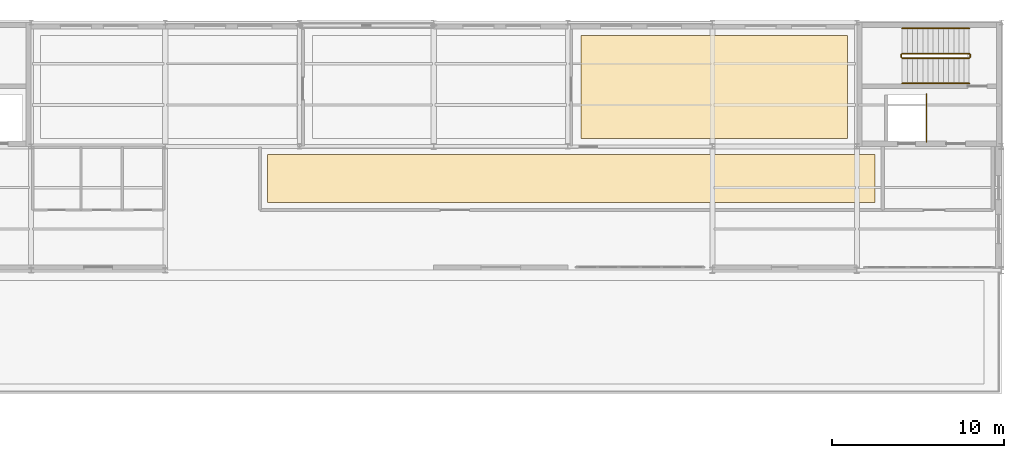
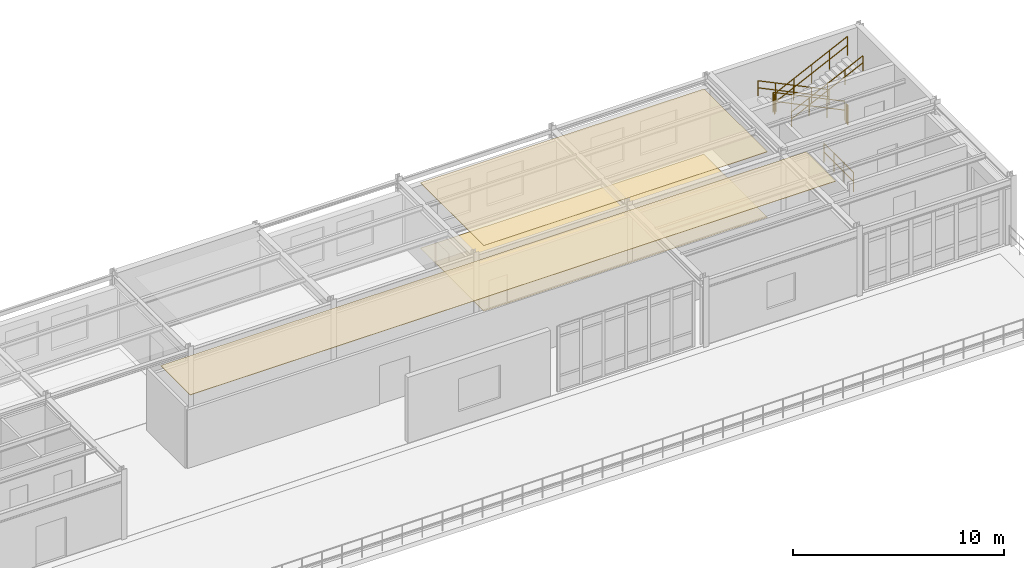
# One storey, part 58 of 58: 7 railings, 3 coverings.
"""IFC4 building model written with IfcOpenShell, lengths in metres."""

from ifc_helpers import new_model, si_unit, derived_unit, direction, frame, origin, origin_2d, place, context, subcontext, project, spatial, polyline, circle, outline, extrude, material, layer, layer_set, type_object, element, save


model = new_model("IFC4")

# Units and contexts
model_context = context("Model", 3, precision=1e-05, world=origin(), true_north=direction((0.0, 1.0)))
body_context = subcontext(model_context, "Body", "Model", "MODEL_VIEW")
ifc_project = project(units=[si_unit("LENGTHUNIT", "METRE"), si_unit("AREAUNIT", "SQUARE_METRE"), si_unit("VOLUMEUNIT", "CUBIC_METRE"), si_unit("PLANEANGLEUNIT", "RADIAN"), si_unit("MASSUNIT", "GRAM", prefix="KILO"), derived_unit("THERMALTRANSMITTANCEUNIT", [(si_unit("POWERUNIT", "WATT"), 1), (si_unit("AREAUNIT", "SQUARE_METRE"), -1), (si_unit("THERMODYNAMICTEMPERATUREUNIT", "KELVIN"), -1)])], contexts=[model_context])

# Site, building, storey
site_placement = place(None, origin())
site = spatial("IfcSite", under=ifc_project, at=site_placement, CompositionType="ELEMENT")
building_placement = place(site_placement, origin())
building = spatial("IfcBuilding", under=site, at=building_placement, Name="Yasenodar Specialist Clinic", CompositionType="ELEMENT")
storey_placement = place(building_placement, frame((0.0, 0.0, 21.300048828125)))
storey = spatial("IfcBuildingStorey", under=building, at=storey_placement, Name="L05", CompositionType="ELEMENT", Elevation=21.300048828125)

# Coverings
ifc_material_1 = material(Name="Hygienic Acoustic Mineral-Fibre Ceiling")
ifc_layer_1 = layer(ifc_material_1, 0.02490234375)
ifc_layer_set_1 = layer_set([ifc_layer_1], Name="Hygienic Acoustic Mineral-Fibre Ceiling")
covering_type_1 = type_object("IfcCoveringType", Name="COV-CEIL-AC", PredefinedType="CEILING", material=ifc_layer_set_1)
covering_1_placement = place(storey_placement, frame((0.0, 0.0, 3.77490234375)))
element("IfcCovering", 1, at=covering_1_placement, inside=storey, type_object=covering_type_1, Name="L05 Medical Simulation Skills Studio Acoustic Ceiling", PredefinedType="CEILING", context=body_context, shape_type="SweptSolid", body=[
    extrude(outline(polyline([(112.85009765625, 104.85009765625), (97.35009765625, 104.85009765625), (97.35009765625, 110.85009765625), (112.85009765625, 110.85009765625), (112.85009765625, 104.85009765625)])), origin(), (0.0, 0.0, 1.0), 0.025146484375),
])
covering_2_placement = place(storey_placement, frame((0.0, 0.0, 3.77490234375)))
element("IfcCovering", 2, at=covering_2_placement, inside=storey, type_object=covering_type_1, Name="L05 Clinical Reference Library Acoustic Ceiling", PredefinedType="CEILING", context=body_context, shape_type="SweptSolid", body=[
    extrude(outline(polyline([(114.449951171875, 103.929931640625), (114.449951171875, 101.1298828125), (79.14990234375, 101.1298828125), (79.14990234375, 103.929931640625), (114.449951171875, 103.929931640625)])), origin(), (0.0, 0.0, 1.0), 0.025146484375),
])
ifc_material_2 = material(Name="Seamless Epoxy Terrazzo Clinical Flooring")
ifc_layer_2 = layer(ifc_material_2, 0.02001953125)
ifc_layer_set_2 = layer_set([ifc_layer_2], Name="Seamless Epoxy Terrazzo Clinical Flooring")
covering_type_2 = type_object("IfcCoveringType", Name="COV-FLR-TERR", PredefinedType="FLOORING", material=ifc_layer_set_2)
covering_3_placement = place(storey_placement, origin())
element("IfcCovering", 3, at=covering_3_placement, inside=storey, type_object=covering_type_2, Name="L05 Medical Simulation Skills Studio Terrazzo Flooring", PredefinedType="FLOORING", context=body_context, shape_type="SweptSolid", body=[
    extrude(outline(polyline([(112.85009765625, 104.85009765625), (97.35009765625, 104.85009765625), (97.35009765625, 110.85009765625), (112.85009765625, 110.85009765625), (112.85009765625, 104.85009765625)])), origin(), (0.0, 0.0, 1.0), 0.02001953125),
])

# Railings
ifc_material_3 = material(Name="Steel S355 Painted Guardrail", Category="steel")
railing_type_1 = type_object("IfcRailingType", Name="RL-GRD-1120", PredefinedType="GUARDRAIL", material=ifc_material_3)
railing_1_placement = place(storey_placement, frame((117.449951171875, 104.64990234375, 0.0)))
element("IfcRailing", 4, at=railing_1_placement, inside=storey, type_object=railing_type_1, Name="L05 Core C5 Lift LF-08 Shaft Guardrail", PredefinedType="GUARDRAIL", context=body_context, shape_type="SweptSolid", body=[
    extrude(circle(Radius=0.02392578125, at=origin_2d()), frame((0.0, 0.0, 1.09619140625), z_axis=(0.0, 1.0, 0.0), x_axis=(-1.0, 0.0, 0.0)), (0.0, 0.0, 1.0), 2.800048828125),
    extrude(circle(Radius=0.02392578125, at=origin_2d()), frame((0.0, 0.0, 0.58251953125), z_axis=(0.0, 1.0, 0.0), x_axis=(-1.0, 0.0, 0.0)), (0.0, 0.0, 1.0), 2.800048828125),
    extrude(circle(Radius=0.02099609375, at=origin_2d()), origin(), (0.0, 0.0, 1.0), 1.072021484375),
    extrude(circle(Radius=0.02099609375, at=origin_2d()), frame((0.0, 0.933349609375, 0.0)), (0.0, 0.0, 1.0), 1.072021484375),
    extrude(circle(Radius=0.02099609375, at=origin_2d()), frame((0.0, 1.86669921875, 0.0)), (0.0, 0.0, 1.0), 1.072021484375),
    extrude(circle(Radius=0.02099609375, at=origin_2d()), frame((0.0, 2.800048828125, 0.0)), (0.0, 0.0, 1.0), 1.072021484375),
])
ifc_material_4 = material(Name="Steel S355 Painted Stair Guardrail", Category="steel")
railing_type_2 = type_object("IfcRailingType", Name="RL-ST-GRD", PredefinedType="GUARDRAIL", material=ifc_material_4)
railing_2_placement = place(storey_placement, frame((119.929931640625, 109.7900390625, 0.14453125)))
element("IfcRailing", 5, at=railing_2_placement, inside=storey, type_object=railing_type_2, Name="L05 ST-05 stair guard 1", PredefinedType="GUARDRAIL", context=body_context, shape_type="SweptSolid", body=[
    extrude(circle(Radius=0.02392578125, at=origin_2d()), frame((0.0, 0.0, 1.09619140625), z_axis=(-0.900763166376, 0.0, 0.434310623978), x_axis=(0.0, -1.0, 0.0)), (0.0, 0.0, 1.0), 4.32958984375),
    extrude(circle(Radius=0.02392578125, at=origin_2d()), frame((0.0, 0.0, 0.58251953125), z_axis=(-0.900763166376, 0.0, 0.434310623978), x_axis=(0.0, -1.0, 0.0)), (0.0, 0.0, 1.0), 4.32958984375),
    extrude(circle(Radius=0.02099609375, at=origin_2d()), origin(), (0.0, 0.0, 1.0), 1.072021484375),
    extrude(circle(Radius=0.02099609375, at=origin_2d()), frame((-0.97509765625, 0.0, 0.47021484375)), (0.0, 0.0, 1.0), 1.072021484375),
    extrude(circle(Radius=0.02099609375, at=origin_2d()), frame((-1.949951171875, 0.0, 0.940185546875)), (0.0, 0.0, 1.0), 1.072021484375),
    extrude(circle(Radius=0.02099609375, at=origin_2d()), frame((-2.9248046875, 0.0, 1.41015625)), (0.0, 0.0, 1.0), 1.072021484375),
    extrude(circle(Radius=0.02099609375, at=origin_2d()), frame((-3.89990234375, 0.0, 1.88037109375)), (0.0, 0.0, 1.0), 1.072021484375),
])
railing_3_placement = place(storey_placement, frame((115.97998046875, 109.739990234375, 2.02490234375)))
element("IfcRailing", 6, at=railing_3_placement, inside=storey, type_object=railing_type_2, Name="L05 ST-05 stair guard 2", PredefinedType="GUARDRAIL", context=body_context, shape_type="SweptSolid", body=[
    extrude(circle(Radius=0.02392578125, at=origin_2d()), frame((0.0, 0.0, 1.09619140625), z_axis=(0.0, -1.0, 0.0), x_axis=(1.0, 0.0, 0.0)), (0.0, 0.0, 1.0), 0.159912109375),
    extrude(circle(Radius=0.02392578125, at=origin_2d()), frame((0.0, 0.0, 0.58251953125), z_axis=(0.0, -1.0, 0.0), x_axis=(1.0, 0.0, 0.0)), (0.0, 0.0, 1.0), 0.159912109375),
    extrude(circle(Radius=0.02099609375, at=origin_2d()), origin(), (0.0, 0.0, 1.0), 1.072021484375),
    extrude(circle(Radius=0.02099609375, at=origin_2d()), frame((0.0, -0.159912109375, 0.0)), (0.0, 0.0, 1.0), 1.072021484375),
])
railing_4_placement = place(storey_placement, frame((116.030029296875, 109.530029296875, 2.169677734375)))
element("IfcRailing", 7, at=railing_4_placement, inside=storey, type_object=railing_type_2, Name="L05 ST-05 stair guard 3", PredefinedType="GUARDRAIL", context=body_context, shape_type="SweptSolid", body=[
    extrude(circle(Radius=0.02392578125, at=origin_2d()), frame((0.0, 0.0, 1.09619140625), z_axis=(0.900763166376, 0.0, 0.434310623978), x_axis=(0.0, 1.0, 0.0)), (0.0, 0.0, 1.0), 4.32958984375),
    extrude(circle(Radius=0.02392578125, at=origin_2d()), frame((0.0, 0.0, 0.58251953125), z_axis=(0.900763166376, 0.0, 0.434310623978), x_axis=(0.0, 1.0, 0.0)), (0.0, 0.0, 1.0), 4.32958984375),
    extrude(circle(Radius=0.02099609375, at=origin_2d()), origin(), (0.0, 0.0, 1.0), 1.072021484375),
    extrude(circle(Radius=0.02099609375, at=origin_2d()), frame((0.97509765625, 0.0, 0.47021484375)), (0.0, 0.0, 1.0), 1.072021484375),
    extrude(circle(Radius=0.02099609375, at=origin_2d()), frame((1.949951171875, 0.0, 0.940185546875)), (0.0, 0.0, 1.0), 1.072021484375),
    extrude(circle(Radius=0.02099609375, at=origin_2d()), frame((2.9248046875, 0.0, 1.41015625)), (0.0, 0.0, 1.0), 1.072021484375),
    extrude(circle(Radius=0.02099609375, at=origin_2d()), frame((3.89990234375, 0.0, 1.88037109375)), (0.0, 0.0, 1.0), 1.072021484375),
])
railing_5_placement = place(storey_placement, frame((119.97998046875, 109.739990234375, 0.0)))
element("IfcRailing", 8, at=railing_5_placement, inside=storey, type_object=railing_type_2, Name="L05 ST-05 stair guard 4", PredefinedType="GUARDRAIL", context=body_context, shape_type="SweptSolid", body=[
    extrude(circle(Radius=0.02392578125, at=origin_2d()), frame((0.0, 0.0, 1.09619140625), z_axis=(0.0, -1.0, 0.0), x_axis=(1.0, 0.0, 0.0)), (0.0, 0.0, 1.0), 0.159912109375),
    extrude(circle(Radius=0.02392578125, at=origin_2d()), frame((0.0, 0.0, 0.58251953125), z_axis=(0.0, -1.0, 0.0), x_axis=(1.0, 0.0, 0.0)), (0.0, 0.0, 1.0), 0.159912109375),
    extrude(circle(Radius=0.02099609375, at=origin_2d()), origin(), (0.0, 0.0, 1.0), 1.072021484375),
    extrude(circle(Radius=0.02099609375, at=origin_2d()), frame((0.0, -0.159912109375, 0.0)), (0.0, 0.0, 1.0), 1.072021484375),
])
ifc_material_5 = material(Name="Brushed Stainless Steel Handrail", Category="steel")
railing_type_3 = type_object("IfcRailingType", Name="RL-ST-HND", PredefinedType="HANDRAIL", material=ifc_material_5)
railing_6_placement = place(storey_placement, frame((119.929931640625, 111.260009765625, 0.14453125)))
element("IfcRailing", 9, at=railing_6_placement, inside=storey, type_object=railing_type_3, Name="L05 ST-05 stair handrail 1", PredefinedType="HANDRAIL", context=body_context, shape_type="SweptSolid", body=[
    extrude(circle(Radius=0.02392578125, at=origin_2d()), frame((0.0, 0.0, 0.8759765625), z_axis=(-0.900763166376, 0.0, 0.434310623978), x_axis=(0.0, -1.0, 0.0)), (0.0, 0.0, 1.0), 4.32958984375),
    extrude(circle(Radius=0.02392578125, at=origin_2d()), frame((0.0, 0.0, 0.468017578125), z_axis=(-0.900763166376, 0.0, 0.434310623978), x_axis=(0.0, -1.0, 0.0)), (0.0, 0.0, 1.0), 4.32958984375),
    extrude(circle(Radius=0.02099609375, at=origin_2d()), origin(), (0.0, 0.0, 1.0), 0.851806640625),
    extrude(circle(Radius=0.02099609375, at=origin_2d()), frame((-0.97509765625, 0.0, 0.47021484375)), (0.0, 0.0, 1.0), 0.851806640625),
    extrude(circle(Radius=0.02099609375, at=origin_2d()), frame((-1.949951171875, 0.0, 0.940185546875)), (0.0, 0.0, 1.0), 0.851806640625),
    extrude(circle(Radius=0.02099609375, at=origin_2d()), frame((-2.9248046875, 0.0, 1.41015625)), (0.0, 0.0, 1.0), 0.851806640625),
    extrude(circle(Radius=0.02099609375, at=origin_2d()), frame((-3.89990234375, 0.0, 1.88037109375)), (0.0, 0.0, 1.0), 0.851806640625),
])
railing_7_placement = place(storey_placement, frame((116.030029296875, 108.06005859375, 2.169677734375)))
element("IfcRailing", 10, at=railing_7_placement, inside=storey, type_object=railing_type_3, Name="L05 ST-05 stair handrail 2", PredefinedType="HANDRAIL", context=body_context, shape_type="SweptSolid", body=[
    extrude(circle(Radius=0.02392578125, at=origin_2d()), frame((0.0, 0.0, 0.8759765625), z_axis=(0.900763166376, 0.0, 0.434310623978), x_axis=(0.0, 1.0, 0.0)), (0.0, 0.0, 1.0), 4.32958984375),
    extrude(circle(Radius=0.02392578125, at=origin_2d()), frame((0.0, 0.0, 0.468017578125), z_axis=(0.900763166376, 0.0, 0.434310623978), x_axis=(0.0, 1.0, 0.0)), (0.0, 0.0, 1.0), 4.32958984375),
    extrude(circle(Radius=0.02099609375, at=origin_2d()), origin(), (0.0, 0.0, 1.0), 0.851806640625),
    extrude(circle(Radius=0.02099609375, at=origin_2d()), frame((0.97509765625, 0.0, 0.47021484375)), (0.0, 0.0, 1.0), 0.851806640625),
    extrude(circle(Radius=0.02099609375, at=origin_2d()), frame((1.949951171875, 0.0, 0.940185546875)), (0.0, 0.0, 1.0), 0.851806640625),
    extrude(circle(Radius=0.02099609375, at=origin_2d()), frame((2.9248046875, 0.0, 1.41015625)), (0.0, 0.0, 1.0), 0.851806640625),
    extrude(circle(Radius=0.02099609375, at=origin_2d()), frame((3.89990234375, 0.0, 1.88037109375)), (0.0, 0.0, 1.0), 0.851806640625),
])

save(model, "model.ifc")
